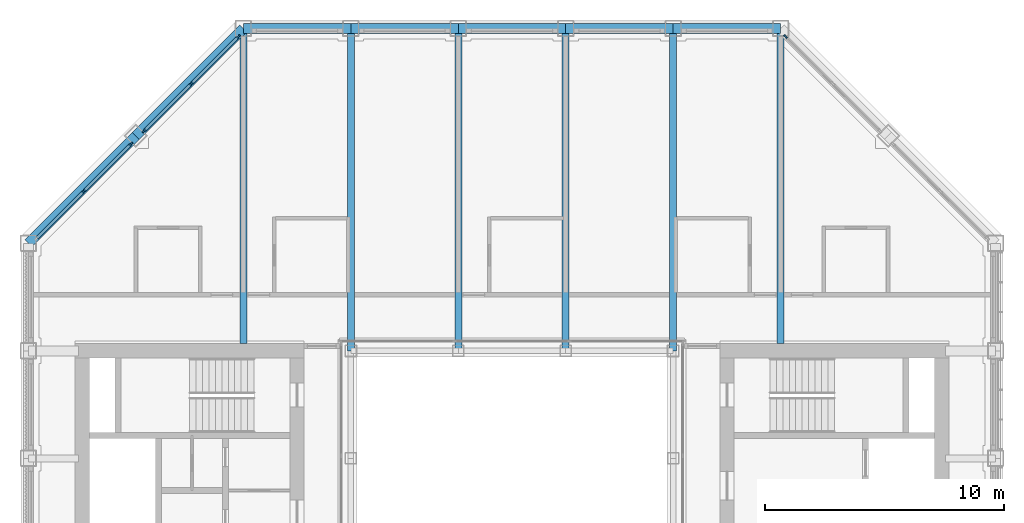
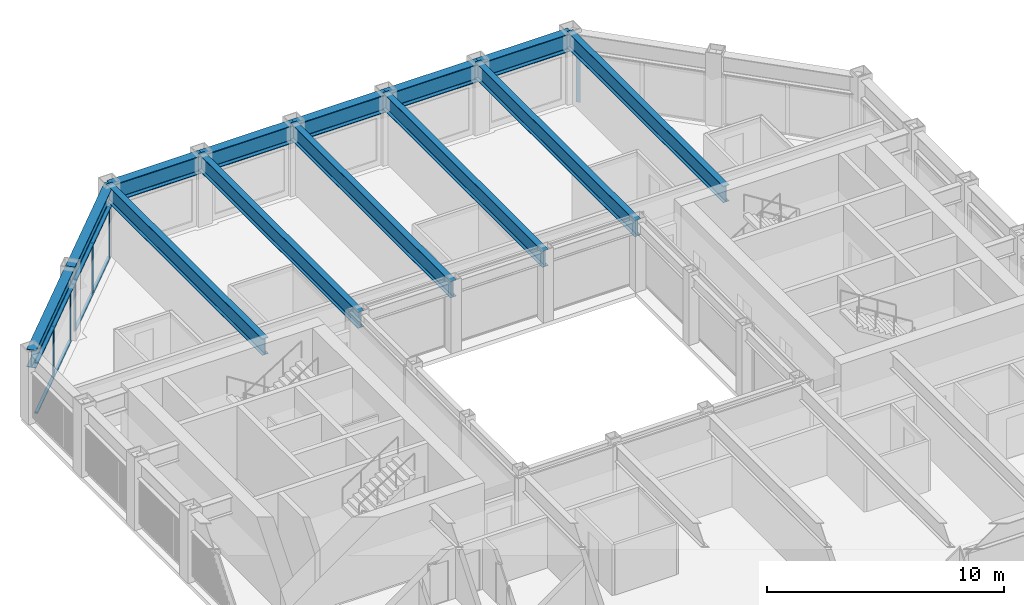
# One storey, part 6 of 16: 14 members, 13 beams, 3 elements without a shape of their own.
"""IFC4 building model written with IfcOpenShell, lengths in metres."""

from ifc_helpers import new_model, si_unit, direction, frame, origin, origin_2d, place, context, subcontext, project, spatial, rectangle, i_section, extrude, material, material_profile, profile_set, type_object, element, aggregate, save


model = new_model("IFC4")

# Units and contexts
model_context = context("Model", 3, precision=1e-05, world=origin(), true_north=direction((0.0, 1.0)))
body_context = subcontext(model_context, "Body", "Model", "MODEL_VIEW")
ifc_project = project(units=[si_unit("LENGTHUNIT", "METRE"), si_unit("AREAUNIT", "SQUARE_METRE"), si_unit("VOLUMEUNIT", "CUBIC_METRE"), si_unit("PLANEANGLEUNIT", "RADIAN"), si_unit("MASSUNIT", "GRAM", prefix="KILO")], contexts=[model_context])

# Site, building, storey
site_placement = place(None, origin())
site = spatial("IfcSite", under=ifc_project, at=site_placement, CompositionType="ELEMENT")
building_placement = place(site_placement, origin())
building = spatial("IfcBuilding", under=site, at=building_placement, Name="Msasa Ring Tower", CompositionType="ELEMENT")
storey_placement = place(building_placement, frame((0.0, 0.0, 219.550048828125)))
storey = spatial("IfcBuildingStorey", under=building, at=storey_placement, Name="L57", CompositionType="ELEMENT", Elevation=219.550048828125)

# Curtain wall, member
ifc_material_1 = material(Name="Aluminium curtain wall with clear glass", Category="aluminium")
curtain_wall_type = type_object("IfcCurtainWallType", Name="CW-C CHAMFER CORNER CURTAIN WALL", PredefinedType="NOTDEFINED", material=ifc_material_1)
curtain_wall_1_placement = place(storey_placement, origin())
curtain_wall_1 = element("IfcCurtainWall", 1, at=curtain_wall_1_placement, inside=storey, type_object=curtain_wall_type, Name="Chamfer corner curtain wall NE L57", PredefinedType="NOTDEFINED")
ifc_material_2 = material(Name="Aluminium mullion", Category="aluminium")
ifc_material_profile_1 = material_profile(ifc_material_2, rectangle(XDim=0.06494140625, YDim=0.179931640625, at=origin_2d()), Name="AL 65x180")
ifc_profile_set_1 = profile_set([ifc_material_profile_1], Name="Aluminium mullion")
member_type_1 = type_object("IfcMemberType", Name="CW-C MULLION 65x180", PredefinedType="MULLION", material=ifc_profile_set_1)
member_1_placement = place(storey_placement, frame((11.453369140625, 19.9052734375, 0.0), z_axis=(0.0, 0.0, 1.0), x_axis=(-0.707106781187, -0.707106781187, 0.0)))
member_1 = element("IfcMember", 2, at=member_1_placement, type_object=member_type_1, Name="CW-C mullion 3", PredefinedType="MULLION", context=body_context, shape_type="SweptSolid", body=[
    extrude(rectangle(XDim=0.06494140625, YDim=0.179931640625, at=origin_2d()), origin(), (0.0, 0.0, 1.0), 2.62890625),
])
aggregate(curtain_wall_1, [member_1])

# Curtain wall, members
curtain_wall_2_placement = place(storey_placement, origin())
curtain_wall_2 = element("IfcCurtainWall", 3, at=curtain_wall_2_placement, inside=storey, type_object=curtain_wall_type, Name="Chamfer corner curtain wall NW L57", PredefinedType="NOTDEFINED")
member_2_placement = place(storey_placement, frame((-15.953369140625, 15.4052734375, 0.0), z_axis=(0.0, 0.0, 1.0), x_axis=(0.707106781187, -0.707106781187, 0.0)))
member_2 = element("IfcMember", 4, at=member_2_placement, type_object=member_type_1, Name="CW-C mullion 1", PredefinedType="MULLION", context=body_context, shape_type="SweptSolid", body=[
    extrude(rectangle(XDim=0.06494140625, YDim=0.179931640625, at=origin_2d()), origin(), (0.0, 0.0, 1.0), 2.62890625),
])
member_3_placement = place(storey_placement, frame((-17.92919921875, 13.42919921875, 0.0), z_axis=(0.0, 0.0, 1.0), x_axis=(0.707106781187, -0.707106781187, 0.0)))
member_3 = element("IfcMember", 5, at=member_3_placement, type_object=member_type_1, Name="CW-C mullion 2", PredefinedType="MULLION", context=body_context, shape_type="SweptSolid", body=[
    extrude(rectangle(XDim=0.06494140625, YDim=0.179931640625, at=origin_2d()), origin(), (0.0, 0.0, 1.0), 2.62890625),
])

curtain_wall_3_placement = place(storey_placement, origin())
curtain_wall_3 = element("IfcCurtainWall", 6, at=curtain_wall_3_placement, inside=storey, type_object=curtain_wall_type, Name="Chamfer corner curtain wall NW L57", PredefinedType="NOTDEFINED")
member_4_placement = place(storey_placement, frame((-11.453369140625, 19.9052734375, 0.0), z_axis=(0.0, 0.0, 1.0), x_axis=(0.707106781187, -0.707106781187, 0.0)))
member_4 = element("IfcMember", 7, at=member_4_placement, type_object=member_type_1, Name="CW-C mullion 1", PredefinedType="MULLION", context=body_context, shape_type="SweptSolid", body=[
    extrude(rectangle(XDim=0.06494140625, YDim=0.179931640625, at=origin_2d()), origin(), (0.0, 0.0, 1.0), 2.62890625),
])
member_5_placement = place(storey_placement, frame((-13.42919921875, 17.92919921875, 0.0), z_axis=(0.0, 0.0, 1.0), x_axis=(0.707106781187, -0.707106781187, 0.0)))
member_5 = element("IfcMember", 8, at=member_5_placement, type_object=member_type_1, Name="CW-C mullion 2", PredefinedType="MULLION", context=body_context, shape_type="SweptSolid", body=[
    extrude(rectangle(XDim=0.06494140625, YDim=0.179931640625, at=origin_2d()), origin(), (0.0, 0.0, 1.0), 2.62890625),
])
member_6_placement = place(storey_placement, frame((-15.4052734375, 15.953369140625, 0.0), z_axis=(0.0, 0.0, 1.0), x_axis=(0.707106781187, -0.707106781187, 0.0)))
member_6 = element("IfcMember", 9, at=member_6_placement, type_object=member_type_1, Name="CW-C mullion 3", PredefinedType="MULLION", context=body_context, shape_type="SweptSolid", body=[
    extrude(rectangle(XDim=0.06494140625, YDim=0.179931640625, at=origin_2d()), origin(), (0.0, 0.0, 1.0), 2.62890625),
])

# Member
ifc_material_3 = material(Name="Aluminium transom", Category="aluminium")
ifc_material_profile_2 = material_profile(ifc_material_3, rectangle(XDim=0.139892578125, YDim=0.06494140625, at=origin_2d()), Name="AL 65x140")
ifc_profile_set_2 = profile_set([ifc_material_profile_2], Name="Aluminium transom")
member_type_2 = type_object("IfcMemberType", Name="CW-C TRANSOM 65x140", PredefinedType="USERDEFINED", material=ifc_profile_set_2)
member_7_placement = place(storey_placement, frame((-15.976318359375, 15.38232421875, 0.032470703125), z_axis=(-0.707106781187, -0.707106781187, 0.0), x_axis=(0.707106781187, -0.707106781187, 0.0)))
member_7 = element("IfcMember", 10, at=member_7_placement, type_object=member_type_2, Name="CW-C transom 1.1", ObjectType="TRANSOM", PredefinedType="USERDEFINED", context=body_context, shape_type="SweptSolid", body=[
    extrude(rectangle(XDim=0.139892578125, YDim=0.06494140625, at=origin_2d()), origin(), (0.0, 0.0, 1.0), 2.729248046875),
])

member_8_placement = place(storey_placement, frame((-15.976318359375, 15.38232421875, 2.596435546875), z_axis=(-0.707106781187, -0.707106781187, 0.0), x_axis=(0.707106781187, -0.707106781187, 0.0)))
member_8 = element("IfcMember", 11, at=member_8_placement, type_object=member_type_2, Name="CW-C transom 1.2", ObjectType="TRANSOM", PredefinedType="USERDEFINED", context=body_context, shape_type="SweptSolid", body=[
    extrude(rectangle(XDim=0.139892578125, YDim=0.06494140625, at=origin_2d()), origin(), (0.0, 0.0, 1.0), 2.729248046875),
])

member_9_placement = place(storey_placement, frame((-17.952392578125, 13.40625, 0.032470703125), z_axis=(-0.707106781187, -0.707106781187, 0.0), x_axis=(0.707106781187, -0.707106781187, 0.0)))
member_9 = element("IfcMember", 12, at=member_9_placement, type_object=member_type_2, Name="CW-C transom 2.1", ObjectType="TRANSOM", PredefinedType="USERDEFINED", context=body_context, shape_type="SweptSolid", body=[
    extrude(rectangle(XDim=0.139892578125, YDim=0.06494140625, at=origin_2d()), origin(), (0.0, 0.0, 1.0), 2.729248046875),
])

member_10_placement = place(storey_placement, frame((-17.952392578125, 13.40625, 2.596435546875), z_axis=(-0.707106781187, -0.707106781187, 0.0), x_axis=(0.707106781187, -0.707106781187, 0.0)))
member_10 = element("IfcMember", 13, at=member_10_placement, type_object=member_type_2, Name="CW-C transom 2.2", ObjectType="TRANSOM", PredefinedType="USERDEFINED", context=body_context, shape_type="SweptSolid", body=[
    extrude(rectangle(XDim=0.139892578125, YDim=0.06494140625, at=origin_2d()), origin(), (0.0, 0.0, 1.0), 2.729248046875),
])

aggregate(curtain_wall_2, [member_2, member_3, member_7, member_8, member_9, member_10])

member_11_placement = place(storey_placement, frame((-11.476318359375, 19.88232421875, 0.032470703125), z_axis=(-0.707106781187, -0.707106781187, 0.0), x_axis=(0.707106781187, -0.707106781187, 0.0)))
member_11 = element("IfcMember", 14, at=member_11_placement, type_object=member_type_2, Name="CW-C transom 1.1", ObjectType="TRANSOM", PredefinedType="USERDEFINED", context=body_context, shape_type="SweptSolid", body=[
    extrude(rectangle(XDim=0.139892578125, YDim=0.06494140625, at=origin_2d()), origin(), (0.0, 0.0, 1.0), 2.729248046875),
])

member_12_placement = place(storey_placement, frame((-11.476318359375, 19.88232421875, 2.596435546875), z_axis=(-0.707106781187, -0.707106781187, 0.0), x_axis=(0.707106781187, -0.707106781187, 0.0)))
member_12 = element("IfcMember", 15, at=member_12_placement, type_object=member_type_2, Name="CW-C transom 1.2", ObjectType="TRANSOM", PredefinedType="USERDEFINED", context=body_context, shape_type="SweptSolid", body=[
    extrude(rectangle(XDim=0.139892578125, YDim=0.06494140625, at=origin_2d()), origin(), (0.0, 0.0, 1.0), 2.729248046875),
])

member_13_placement = place(storey_placement, frame((-13.452392578125, 17.90625, 0.032470703125), z_axis=(-0.707106781187, -0.707106781187, 0.0), x_axis=(0.707106781187, -0.707106781187, 0.0)))
member_13 = element("IfcMember", 16, at=member_13_placement, type_object=member_type_2, Name="CW-C transom 2.1", ObjectType="TRANSOM", PredefinedType="USERDEFINED", context=body_context, shape_type="SweptSolid", body=[
    extrude(rectangle(XDim=0.139892578125, YDim=0.06494140625, at=origin_2d()), origin(), (0.0, 0.0, 1.0), 2.729248046875),
])

member_14_placement = place(storey_placement, frame((-13.452392578125, 17.90625, 2.596435546875), z_axis=(-0.707106781187, -0.707106781187, 0.0), x_axis=(0.707106781187, -0.707106781187, 0.0)))
member_14 = element("IfcMember", 17, at=member_14_placement, type_object=member_type_2, Name="CW-C transom 2.2", ObjectType="TRANSOM", PredefinedType="USERDEFINED", context=body_context, shape_type="SweptSolid", body=[
    extrude(rectangle(XDim=0.139892578125, YDim=0.06494140625, at=origin_2d()), origin(), (0.0, 0.0, 1.0), 2.729248046875),
])

aggregate(curtain_wall_3, [member_4, member_5, member_6, member_11, member_12, member_13, member_14])

# Beams
ifc_material_4 = material(Name="Steel S355", Category="steel")
ifc_material_profile_3 = material_profile(ifc_material_4, i_section(OverallWidth=0.293701171875, OverallDepth=0.850830078125, WebThickness=0.01611328125, FlangeThickness=0.02685546875, FilletRadius=0.017822265625, at=origin_2d()), Name="UB 838x292x226")
ifc_profile_set_3 = profile_set([ifc_material_profile_3], Name="Steel S355")
beam_type_1 = type_object("IfcBeamType", Name="FB5 UB 838x292x226", PredefinedType="BEAM", material=ifc_profile_set_3)
beam_1_placement = place(storey_placement, frame((-11.25, 20.25, 3.12451171875), z_axis=(0.0, -1.0, 0.0), x_axis=(1.0, 0.0, 0.0)))
element("IfcBeam", 18, at=beam_1_placement, inside=storey, type_object=beam_type_1, Name="Floor beam N-11.25 under L58", PredefinedType="BEAM", context=body_context, shape_type="SweptSolid", body=[
    extrude(i_section(OverallWidth=0.293701171875, OverallDepth=0.850830078125, WebThickness=0.01611328125, FlangeThickness=0.02685546875, FilletRadius=0.017822265625, at=origin_2d()), origin(), (0.0, 0.0, 1.0), 13.199951171875),
])
for number, where, z_axis, x_axis, name in (
    (19, (-6.75, 20.25, 3.12451171875), (0.0, -1.0, 0.0), (1.0, 0.0, 0.0), "Floor beam N-6.75 under L58"),
    (20, (-2.25, 20.25, 3.12451171875), (0.0, -1.0, 0.0), (1.0, 0.0, 0.0), "Floor beam N-2.25 under L58"),
    (21, (2.25, 20.25, 3.12451171875), (0.0, -1.0, 0.0), (1.0, 0.0, 0.0), "Floor beam N+2.25 under L58"),
    (22, (6.75, 20.25, 3.12451171875), (0.0, -1.0, 0.0), (1.0, 0.0, 0.0), "Floor beam N+6.75 under L58"),
):
    element("IfcBeam", number, at=place(storey_placement, frame(where, z_axis=z_axis, x_axis=x_axis)), inside=storey, type_object=beam_type_1, Name=name, PredefinedType="BEAM", context=body_context, shape_type="SweptSolid", body=[
        extrude(i_section(OverallWidth=0.293701171875, OverallDepth=0.850830078125, WebThickness=0.01611328125, FlangeThickness=0.02685546875, FilletRadius=0.017822265625, at=origin_2d()), origin(), (0.0, 0.0, 1.0), 13.5),
    ])
beam_2_placement = place(storey_placement, frame((11.25, 20.25, 3.12451171875), z_axis=(0.0, -1.0, 0.0), x_axis=(1.0, 0.0, 0.0)))
element("IfcBeam", 23, at=beam_2_placement, inside=storey, type_object=beam_type_1, Name="Floor beam N+11.25 under L58", PredefinedType="BEAM", context=body_context, shape_type="SweptSolid", body=[
    extrude(i_section(OverallWidth=0.293701171875, OverallDepth=0.850830078125, WebThickness=0.01611328125, FlangeThickness=0.02685546875, FilletRadius=0.017822265625, at=origin_2d()), origin(), (0.0, 0.0, 1.0), 13.199951171875),
])
ifc_material_5 = material(Name="Steel S355", Category="steel")
ifc_material_profile_4 = material_profile(ifc_material_5, i_section(OverallWidth=0.42041015625, OverallDepth=0.9208984375, WebThickness=0.021484375, FlangeThickness=0.03662109375, FilletRadius=0.024169921875, at=origin_2d()), Name="UB 914x419x388")
ifc_profile_set_4 = profile_set([ifc_material_profile_4], Name="Steel S355")
beam_type_2 = type_object("IfcBeamType", Name="SB1 UB 914x419x388", PredefinedType="SPANDREL", material=ifc_profile_set_4)
for number, where, z_axis, x_axis, name in (
    (24, (11.25, 20.25, 3.08935546875), (-1.0, 0.0, 0.0), (0.0, -1.0, 0.0), "Spandrel N+11.25 to N+6.75 under L58"),
    (25, (6.75, 20.25, 3.08935546875), (-1.0, 0.0, 0.0), (0.0, -1.0, 0.0), "Spandrel N+6.75 to N+2.25 under L58"),
    (26, (2.25, 20.25, 3.08935546875), (-1.0, 0.0, 0.0), (0.0, -1.0, 0.0), "Spandrel N+2.25 to N-2.25 under L58"),
    (27, (-2.25, 20.25, 3.08935546875), (-1.0, 0.0, 0.0), (0.0, -1.0, 0.0), "Spandrel N-2.25 to N-6.75 under L58"),
    (28, (-6.75, 20.25, 3.08935546875), (-1.0, 0.0, 0.0), (0.0, -1.0, 0.0), "Spandrel N-6.75 to N-11.25 under L58"),
):
    element("IfcBeam", number, at=place(storey_placement, frame(where, z_axis=z_axis, x_axis=x_axis)), inside=storey, type_object=beam_type_2, Name=name, PredefinedType="SPANDREL", context=body_context, shape_type="SweptSolid", body=[
        extrude(i_section(OverallWidth=0.42041015625, OverallDepth=0.9208984375, WebThickness=0.021484375, FlangeThickness=0.03662109375, FilletRadius=0.024169921875, at=origin_2d()), origin(), (0.0, 0.0, 1.0), 4.5),
    ])
for number, where, z_axis, x_axis, name in (
    (29, (-11.25, 20.25, 3.08935546875), (-0.707106781187, -0.707106781187, 0.0), (0.707106781187, -0.707106781187, 0.0), "Spandrel N-11.25 to NW under L58"),
    (30, (-15.75, 15.75, 3.08935546875), (-0.707106781187, -0.707106781187, 0.0), (0.707106781187, -0.707106781187, 0.0), "Spandrel NW to W+11.25 under L58"),
):
    element("IfcBeam", number, at=place(storey_placement, frame(where, z_axis=z_axis, x_axis=x_axis)), inside=storey, type_object=beam_type_2, Name=name, PredefinedType="SPANDREL", context=body_context, shape_type="SweptSolid", body=[
        extrude(i_section(OverallWidth=0.42041015625, OverallDepth=0.9208984375, WebThickness=0.021484375, FlangeThickness=0.03662109375, FilletRadius=0.024169921875, at=origin_2d()), origin(), (0.0, 0.0, 1.0), 6.364013671875),
    ])

save(model, "model.ifc")
